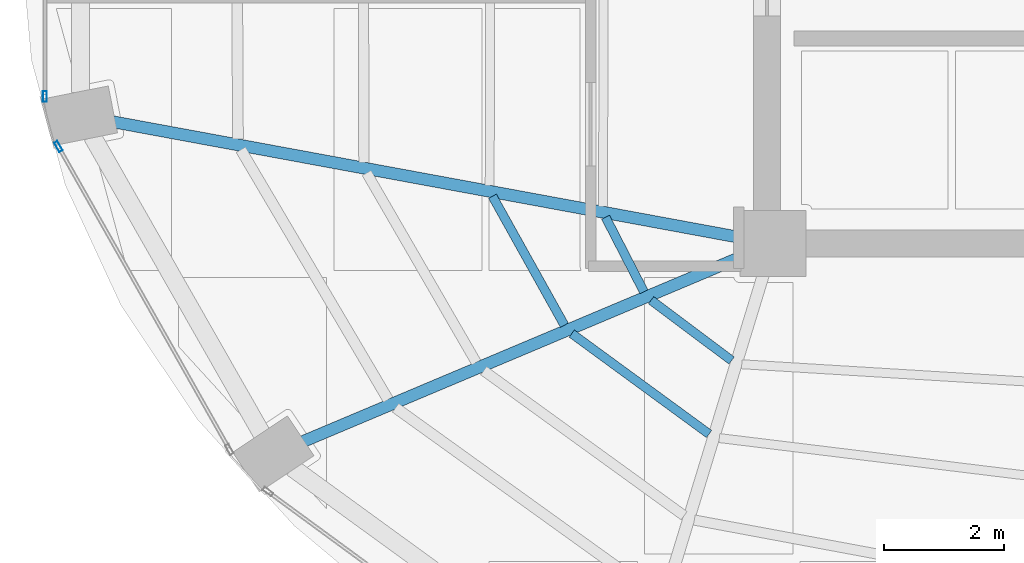
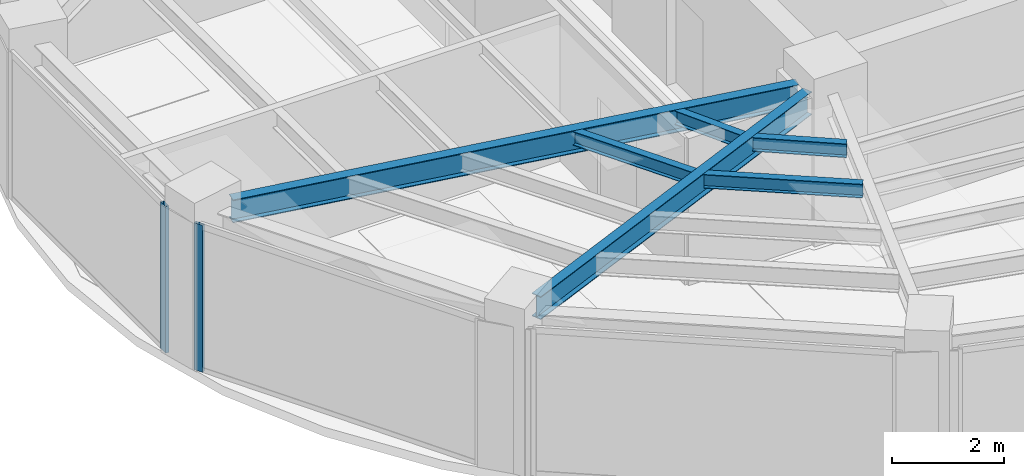
# One storey, part 4 of 22: 6 beams, 2 members, 2 elements without a shape of their own.
"""IFC4 building model written with IfcOpenShell, lengths in metres."""

import ifcopenshell
import ifcopenshell.guid

model = None  # the IFC model being written
_history = None  # IfcOwnerHistory: only IFC2X3 demands one
_inside = {}  # id of a spatial element -> (the spatial element, [elements in it])
_under = {}  # id of a project, library or spatial element -> (it, [spatial elements below it])
_declared = {}  # id of a project -> (the project, [libraries it declares])
_typed = {}  # id of a type object -> (the type object, [elements of that type])
_made_of = {}  # id of a material, layer set ... -> (it, [elements and type objects made of it])


def new_model(schema):
    """Start an empty IFC model of exactly this schema.

    Asked for "IFC4X3", IfcOpenShell would pick the latest addendum, in which some entities
    have other attributes; the version numbers below select the first issue.
    IFC2X3 requires an IfcOwnerHistory on every rooted entity: one is made here for all.
    """
    global model, _history
    if schema == "IFC4X3":
        model = ifcopenshell.file(schema_version=(4, 3, 0, 0))
    else:
        model = ifcopenshell.file(schema=schema)
    _inside.clear()
    _under.clear()
    _declared.clear()
    _typed.clear()
    _made_of.clear()
    _history = None
    if model.schema == "IFC2X3":
        org = make("IfcOrganization", Name="unknown")
        user = make(
            "IfcPersonAndOrganization",
            ThePerson=make("IfcPerson", FamilyName="unknown"),
            TheOrganization=org,
        )
        app = make(
            "IfcApplication",
            ApplicationDeveloper=org,
            Version="unknown",
            ApplicationFullName="unknown",
            ApplicationIdentifier="unknown",
        )
        _history = make(
            "IfcOwnerHistory",
            OwningUser=user,
            OwningApplication=app,
            ChangeAction="ADDED",
            CreationDate=0,
        )
    return model


def make(cls, **values):
    """One entity of the class cls with the attributes given. An attribute that is None is left unset."""
    return model.create_entity(
        cls, **{name: value for name, value in values.items() if value is not None}
    )


def rooted(cls, **values):
    """An entity with a GlobalId (a new one), such as an element, a storey or a relation."""
    return make(cls, GlobalId=ifcopenshell.guid.new(), OwnerHistory=_history, **values)


def si_unit(unit_type, name, prefix=None):
    """IfcSIUnit, for example si_unit("LENGTHUNIT", "METRE", prefix="MILLI")."""
    return make("IfcSIUnit", UnitType=unit_type, Prefix=prefix, Name=name)


def assignment(units):
    """IfcUnitAssignment: the units of a project."""
    return None if units is None else make("IfcUnitAssignment", Units=units)


def point(xyz):
    """IfcCartesianPoint."""
    return None if xyz is None else make("IfcCartesianPoint", Coordinates=xyz)


def direction(xyz):
    """IfcDirection."""
    return None if xyz is None else make("IfcDirection", DirectionRatios=xyz)


def frame(location, z_axis=None, x_axis=None):
    """IfcAxis2Placement3D, a coordinate frame: its origin and axes. An axis left out is left unset."""
    return make(
        "IfcAxis2Placement3D",
        Location=point(location),
        Axis=direction(z_axis),
        RefDirection=direction(x_axis),
    )


def frame_2d(location, x_axis=None):
    """IfcAxis2Placement2D, a coordinate frame in the plane: its origin and x axis."""
    return make(
        "IfcAxis2Placement2D", Location=point(location), RefDirection=direction(x_axis)
    )


def origin():
    """The frame at (0, 0, 0) with its axes left unset."""
    return frame((0.0, 0.0, 0.0))


def origin_2d():
    """The frame at (0, 0) in the plane with its x axis left unset."""
    return frame_2d((0.0, 0.0))


def place(relative_to, where):
    """IfcLocalPlacement: puts the frame where relative to a parent placement (None: the world)."""
    return make(
        "IfcLocalPlacement", PlacementRelTo=relative_to, RelativePlacement=where
    )


def context(
    kind, dimensions, precision=None, world=None, true_north=None, identifier=None
):
    """IfcGeometricRepresentationContext, for example the 3D "Model" context."""
    return make(
        "IfcGeometricRepresentationContext",
        ContextIdentifier=identifier,
        ContextType=kind,
        CoordinateSpaceDimension=dimensions,
        Precision=precision,
        WorldCoordinateSystem=world,
        TrueNorth=true_north,
    )


def subcontext(parent, identifier, kind, view, scale=None):
    """IfcGeometricRepresentationSubContext, for example "Body" below "Model"."""
    return make(
        "IfcGeometricRepresentationSubContext",
        ContextIdentifier=identifier,
        ContextType=kind,
        ParentContext=parent,
        TargetScale=scale,
        TargetView=view,
    )


def project(units=None, contexts=None):
    """IfcProject with its units and contexts."""
    return rooted(
        "IfcProject",
        Name="project",
        RepresentationContexts=contexts,
        UnitsInContext=assignment(units),
    )


def spatial(cls, under=None, at=None, **own):
    """A site, building, storey or space (cls), placed at a placement, below another one or the project."""
    s = rooted(cls, ObjectPlacement=at, **own)
    if under is not None:
        _under.setdefault(under.id(), (under, []))[1].append(s)
    return s


def profile(cls, at=None, kind="AREA", **sizes):
    """A parametric profile (cls). Its sizes go by their IFC names, for example OverallWidth=200.0."""
    return make(cls, ProfileType=kind, Position=at, **sizes)


def hollow_rectangle(**sizes):
    """IfcRectangleHollowProfileDef."""
    return profile("IfcRectangleHollowProfileDef", **sizes)


def i_section(**sizes):
    """IfcIShapeProfileDef."""
    return profile("IfcIShapeProfileDef", **sizes)


def extrude(swept, where, along, depth):
    """IfcExtrudedAreaSolid: the profile swept, set in the frame where, extruded along a direction by depth."""
    return make(
        "IfcExtrudedAreaSolid",
        SweptArea=swept,
        Position=where,
        ExtrudedDirection=direction(along),
        Depth=depth,
    )


def shape(context_of_items, identifier, shape_type, items):
    """IfcShapeRepresentation: the items that make up one representation, for example the "Body"."""
    return make(
        "IfcShapeRepresentation",
        ContextOfItems=context_of_items,
        RepresentationIdentifier=identifier,
        RepresentationType=shape_type,
        Items=items,
    )


def material(Name=None, Category=None):
    """IfcMaterial."""
    return make("IfcMaterial", Name=Name, Category=Category)


def layer(
    of_material, thickness, ventilated=None, Name=None, Category=None, Priority=None
):
    """IfcMaterialLayer: one layer of a wall or slab, of a material (None: an air gap)."""
    return make(
        "IfcMaterialLayer",
        Material=of_material,
        LayerThickness=thickness,
        IsVentilated=ventilated,
        Name=Name,
        Category=Category,
        Priority=Priority,
    )


def layer_set(layers, Name=None):
    """IfcMaterialLayerSet."""
    return make("IfcMaterialLayerSet", MaterialLayers=layers, LayerSetName=Name)


def material_profile(
    of_material, cross_section, Name=None, Category=None, Priority=None
):
    """IfcMaterialProfile: a cross section and its material."""
    return make(
        "IfcMaterialProfile",
        Name=Name,
        Material=of_material,
        Profile=cross_section,
        Priority=Priority,
        Category=Category,
    )


def profile_set(profiles, Name=None, composite=None):
    """IfcMaterialProfileSet."""
    return make(
        "IfcMaterialProfileSet",
        Name=Name,
        MaterialProfiles=profiles,
        CompositeProfile=composite,
    )


def made_of(thing, what):
    """Note that an element or type object is made of a material, layer set ...; save() writes the relation."""
    if what is not None:
        _made_of.setdefault(what.id(), (what, []))[1].append(thing)
    return thing


def type_object(cls, material=None, **own):
    """A type object (cls), such as IfcWallType, which elements share."""
    return made_of(rooted(cls, **own), material)


def element(
    cls,
    number,
    at=None,
    inside=None,
    cuts=None,
    type_object=None,
    material=None,
    context=None,
    identifier="Body",
    shape_type=None,
    held_by="IfcProductDefinitionShape",
    body=None,
    shapes=None,
    **own,
):
    """One element of the class cls, such as IfcWall. Its Tag is "e" and its number.

    at: its placement. inside: the storey or other place that contains it. cuts: it is an
    opening in that element (IfcRelVoidsElement). A single representation is given by context,
    identifier, shape_type and body (its items); several are given by shapes. held_by: the class
    of the entity that holds the representations. save() writes the other relations.
    """
    e = rooted(cls, Tag="e%d" % number, ObjectPlacement=at, **own)
    if body is not None:
        shapes = [shape(context, identifier, shape_type, body)]
    if shapes is not None:
        e.Representation = make(held_by, Representations=shapes)
    if inside is not None:
        _inside.setdefault(inside.id(), (inside, []))[1].append(e)
    if cuts is not None:
        rooted(
            "IfcRelVoidsElement", RelatingBuildingElement=cuts, RelatedOpeningElement=e
        )
    if type_object is not None:
        _typed.setdefault(type_object.id(), (type_object, []))[1].append(e)
    return made_of(e, material)


def aggregate(whole, parts):
    """IfcRelAggregates: a whole, such as a stair, and the parts it consists of."""
    return rooted("IfcRelAggregates", RelatingObject=whole, RelatedObjects=parts)


def save(model, path):
    """Write the relations noted so far, then the file.

    IfcRelAggregates (storeys below a building ...), IfcRelContainedInSpatialStructure (elements
    in a storey), IfcRelDefinesByType, IfcRelAssociatesMaterial and IfcRelDeclares: one each for
    every whole, place, type object, material and project.
    """
    for whole, parts in _under.values():
        aggregate(whole, parts)
    for where, things in _inside.values():
        rooted(
            "IfcRelContainedInSpatialStructure",
            RelatedElements=things,
            RelatingStructure=where,
        )
    for kind, things in _typed.values():
        rooted("IfcRelDefinesByType", RelatedObjects=things, RelatingType=kind)
    for what, things in _made_of.values():
        rooted("IfcRelAssociatesMaterial", RelatedObjects=things, RelatingMaterial=what)
    for by, libraries in _declared.values():
        rooted("IfcRelDeclares", RelatingContext=by, RelatedDefinitions=libraries)
    model.write(path)


model = new_model("IFC4")

# Units and contexts
model_context = context("Model", 3, precision=1e-05, world=origin(), true_north=direction((0.0, 1.0)))
body_context = subcontext(model_context, "Body", "Model", "MODEL_VIEW")
ifc_project = project(units=[si_unit("LENGTHUNIT", "METRE"), si_unit("AREAUNIT", "SQUARE_METRE"), si_unit("VOLUMEUNIT", "CUBIC_METRE"), si_unit("PLANEANGLEUNIT", "RADIAN"), si_unit("MASSUNIT", "GRAM", prefix="KILO")], contexts=[model_context])

# Site, building, storey
site_placement = place(None, origin())
site = spatial("IfcSite", under=ifc_project, at=site_placement, CompositionType="ELEMENT")
building_placement = place(site_placement, origin())
building = spatial("IfcBuilding", under=site, at=building_placement, Name="Lazwardi Medical Tower", CompositionType="ELEMENT")
storey_placement = place(building_placement, frame((0.0, 0.0, 242.256103515625)))
storey = spatial("IfcBuildingStorey", under=building, at=storey_placement, Name="L63", CompositionType="ELEMENT", Elevation=242.256103515625)

# Beams
ifc_material_1 = material(Name="Steel S355", Category="steel")
ifc_material_profile_1 = material_profile(ifc_material_1, i_section(OverallWidth=0.199951171875, OverallDepth=0.5, WebThickness=0.01025390625, FlangeThickness=0.01611328125, at=origin_2d()), Name="IPE 500")
ifc_profile_set_1 = profile_set([ifc_material_profile_1], Name="Steel S355")
beam_type_1 = type_object("IfcBeamType", Name="BM-RG-W3", PredefinedType="BEAM", material=ifc_profile_set_1)
beam_1_placement = place(storey_placement, frame((15.341064453125, 22.43994140625, 2.947998046875), z_axis=(0.983409341459, -0.181400295288, 0.0), x_axis=(0.181400295288, 0.983409341459, 0.0)))
element("IfcBeam", 1, at=beam_1_placement, inside=storey, type_object=beam_type_1, Name="Radial girder RG-04 R13 L63", PredefinedType="BEAM", context=body_context, shape_type="SweptSolid", body=[
    extrude(i_section(OverallWidth=0.199951171875, OverallDepth=0.5, WebThickness=0.01025390625, FlangeThickness=0.01611328125, at=origin_2d()), origin(), (0.0, 0.0, 1.0), 10.71044921875),
])
beam_2_placement = place(storey_placement, frame((18.533203125, 17.085205078125, 2.947998046875), z_axis=(0.921526791352, 0.388314785735, 0.0), x_axis=(-0.388314785735, 0.921526791352, 0.0)))
element("IfcBeam", 2, at=beam_2_placement, inside=storey, type_object=beam_type_1, Name="Radial girder RG-04 R14 L63", PredefinedType="BEAM", context=body_context, shape_type="SweptSolid", body=[
    extrude(i_section(OverallWidth=0.199951171875, OverallDepth=0.5, WebThickness=0.01025390625, FlangeThickness=0.01611328125, at=origin_2d()), origin(), (0.0, 0.0, 1.0), 8.001708984375),
])
ifc_material_profile_2 = material_profile(ifc_material_1, i_section(OverallWidth=0.14990234375, OverallDepth=0.300048828125, WebThickness=0.007080078125, FlangeThickness=0.0107421875, at=origin_2d()), Name="IPE 300")
ifc_profile_set_2 = profile_set([ifc_material_profile_2], Name="Steel S355")
beam_type_2 = type_object("IfcBeamType", Name="BM-SJ-03", PredefinedType="JOIST", material=ifc_profile_set_2)
beam_3_placement = place(storey_placement, frame((21.70703125, 21.19140625, 3.0478515625), z_axis=(0.487092942089, -0.873350139272, 0.0), x_axis=(0.873350139272, 0.487092942089, 0.0)))
element("IfcBeam", 3, at=beam_3_placement, inside=storey, type_object=beam_type_2, Name="Secondary joist SJ-03 R3 B13 L63", PredefinedType="JOIST", context=body_context, shape_type="SweptSolid", body=[
    extrude(i_section(OverallWidth=0.14990234375, OverallDepth=0.300048828125, WebThickness=0.007080078125, FlangeThickness=0.0107421875, at=origin_2d()), origin(), (0.0, 0.0, 1.0), 2.471923828125),
])
beam_4_placement = place(storey_placement, frame((23.0341796875, 18.893310546875, 3.0478515625), z_axis=(0.80703431267, -0.59050454543, 0.0), x_axis=(0.59050454543, 0.80703431267, 0.0)))
element("IfcBeam", 4, at=beam_4_placement, inside=storey, type_object=beam_type_2, Name="Secondary joist SJ-03 R3 B14 L63", PredefinedType="JOIST", context=body_context, shape_type="SweptSolid", body=[
    extrude(i_section(OverallWidth=0.14990234375, OverallDepth=0.300048828125, WebThickness=0.007080078125, FlangeThickness=0.0107421875, at=origin_2d()), origin(), (0.0, 0.0, 1.0), 2.846923828125),
])
beam_5_placement = place(storey_placement, frame((23.60009765625, 20.840087890625, 3.0478515625), z_axis=(0.457285056668, -0.889320176848, 0.0), x_axis=(0.889320176848, 0.457285056668, 0.0)))
element("IfcBeam", 5, at=beam_5_placement, inside=storey, type_object=beam_type_2, Name="Secondary joist SJ-03 R4 B13 L63", PredefinedType="JOIST", context=body_context, shape_type="SweptSolid", body=[
    extrude(i_section(OverallWidth=0.14990234375, OverallDepth=0.300048828125, WebThickness=0.007080078125, FlangeThickness=0.0107421875, at=origin_2d()), origin(), (0.0, 0.0, 1.0), 1.402099609375),
])
beam_6_placement = place(storey_placement, frame((24.36083984375, 19.451904296875, 3.0478515625), z_axis=(0.800365301971, -0.599512621553, 0.0), x_axis=(0.599512621553, 0.800365301971, 0.0)))
element("IfcBeam", 6, at=beam_6_placement, inside=storey, type_object=beam_type_2, Name="Secondary joist SJ-03 R4 B14 L63", PredefinedType="JOIST", context=body_context, shape_type="SweptSolid", body=[
    extrude(i_section(OverallWidth=0.14990234375, OverallDepth=0.300048828125, WebThickness=0.007080078125, FlangeThickness=0.0107421875, at=origin_2d()), origin(), (0.0, 0.0, 1.0), 1.68359375),
])

# Curtain wall, member
ifc_material_2 = material(Name="Anodised bronze aluminium and solar control glazing", Category="aluminium")
ifc_layer = layer(ifc_material_2, 0.18994140625)
ifc_layer_set = layer_set([ifc_layer], Name="Anodised bronze aluminium and solar control glazing")
curtain_wall_type = type_object("IfcCurtainWallType", Name="CW-SYS-04", PredefinedType="NOTDEFINED", material=ifc_layer_set)
curtain_wall_1_placement = place(storey_placement, origin())
curtain_wall_1 = element("IfcCurtainWall", 7, at=curtain_wall_1_placement, inside=storey, type_object=curtain_wall_type, Name="L63 Unitised bronze curtain wall CW-04", PredefinedType="NOTDEFINED")
ifc_material_3 = material(Name="Anodised bronze aluminium", Category="aluminium")
ifc_material_profile_3 = material_profile(ifc_material_3, hollow_rectangle(XDim=0.06494140625, YDim=0.179931640625, WallThickness=0.00390625, at=origin_2d()), Name="ALU-MULLION 180x65x4")
ifc_profile_set_3 = profile_set([ifc_material_profile_3], Name="Anodised bronze aluminium")
member_type = type_object("IfcMemberType", Name="CW-MUL-03", PredefinedType="MULLION", material=ifc_profile_set_3)
member_1_placement = place(storey_placement, frame((14.2158203125, 22.859619140625, 0.0), z_axis=(0.0, 0.0, 1.0), x_axis=(1.0, 0.0, 0.0)))
member_1 = element("IfcMember", 8, at=member_1_placement, type_object=member_type, Name="CW-04 mullion 2", PredefinedType="MULLION", context=body_context, shape_type="SweptSolid", body=[
    extrude(hollow_rectangle(XDim=0.06494140625, YDim=0.179931640625, WallThickness=0.00390625, at=origin_2d()), origin(), (0.0, 0.0, 1.0), 3.197998046875),
])
aggregate(curtain_wall_1, [member_1])

curtain_wall_2_placement = place(storey_placement, origin())
curtain_wall_2 = element("IfcCurtainWall", 9, at=curtain_wall_2_placement, inside=storey, type_object=curtain_wall_type, Name="L63 Unitised bronze curtain wall CW-04", PredefinedType="NOTDEFINED")
member_2_placement = place(storey_placement, frame((14.442626953125, 22.021728515625, 0.0), z_axis=(0.0, 0.0, 1.0), x_axis=(0.870651436011, 0.491900474661, 0.0)))
member_2 = element("IfcMember", 10, at=member_2_placement, type_object=member_type, Name="CW-04 mullion 1", PredefinedType="MULLION", context=body_context, shape_type="SweptSolid", body=[
    extrude(hollow_rectangle(XDim=0.06494140625, YDim=0.179931640625, WallThickness=0.00390625, at=origin_2d()), origin(), (0.0, 0.0, 1.0), 3.197998046875),
])
aggregate(curtain_wall_2, [member_2])

save(model, "model.ifc")
